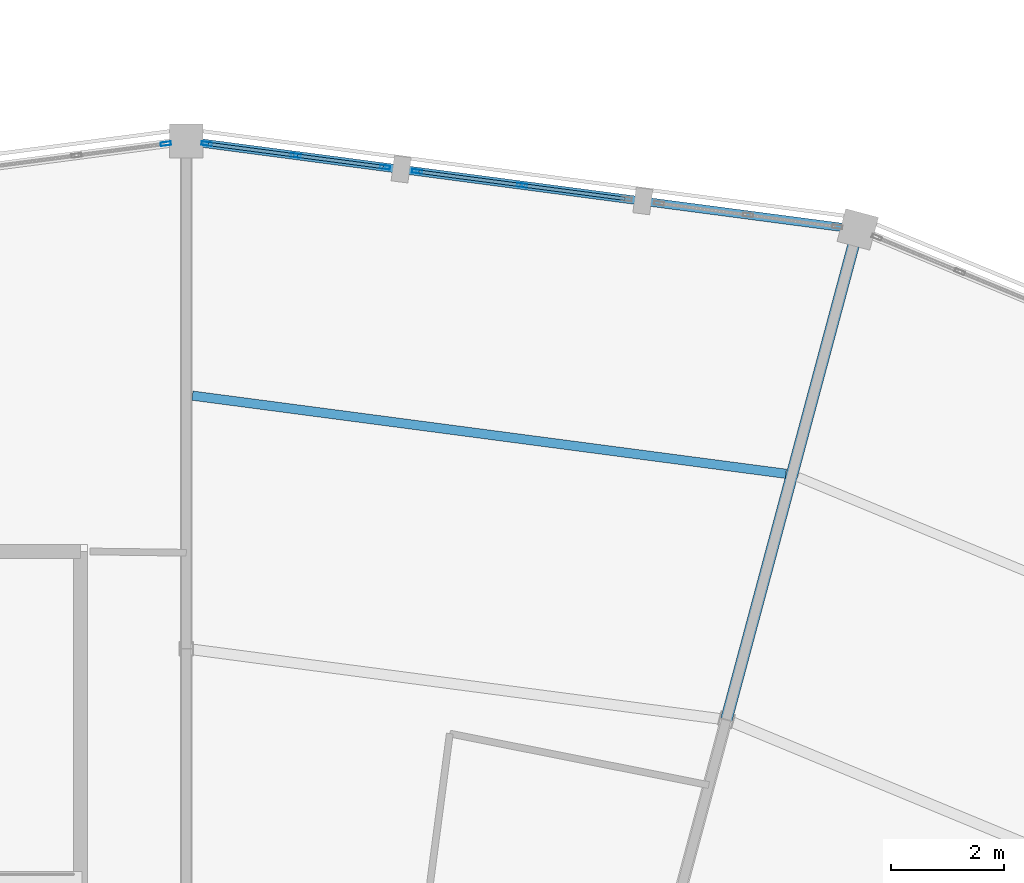
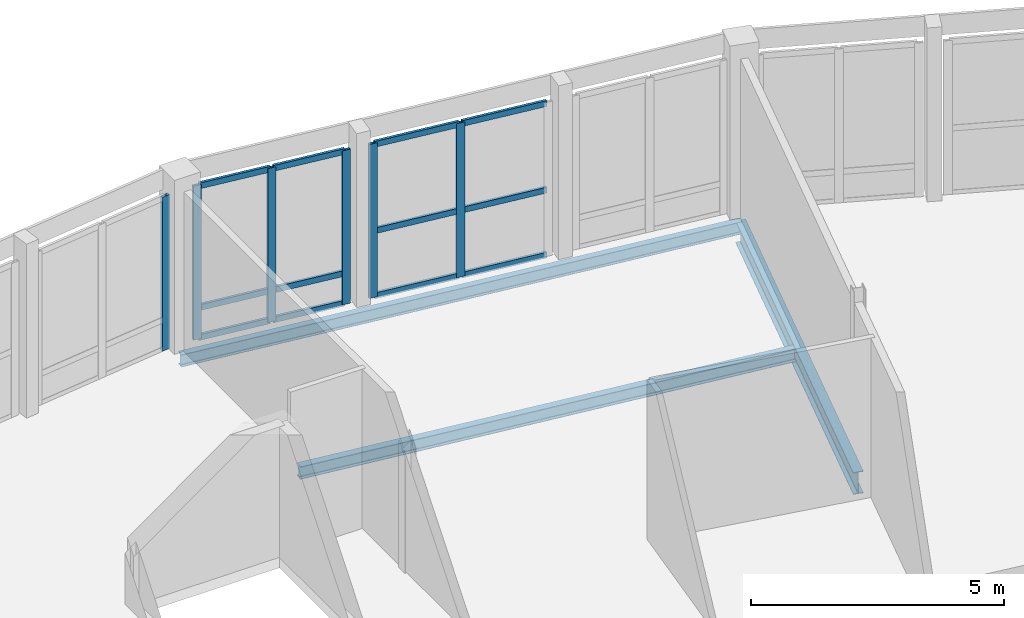
# One storey, part 102 of 200: 18 members, 3 beams, 3 elements without a shape of their own.
"""IFC4 building model written with IfcOpenShell, lengths in metres."""

from ifc_helpers import new_model, si_unit, direction, frame, origin, origin_2d, place, context, subcontext, project, spatial, hollow_rectangle, i_section, extrude, material, material_profile, profile_set, type_object, element, aggregate, save


model = new_model("IFC4")

# Units and contexts
model_context = context("Model", 3, precision=1e-05, world=origin(), true_north=direction((0.0, 1.0)))
body_context = subcontext(model_context, "Body", "Model", "MODEL_VIEW")
ifc_project = project(units=[si_unit("LENGTHUNIT", "METRE"), si_unit("AREAUNIT", "SQUARE_METRE"), si_unit("VOLUMEUNIT", "CUBIC_METRE"), si_unit("PLANEANGLEUNIT", "RADIAN"), si_unit("MASSUNIT", "GRAM", prefix="KILO")], contexts=[model_context])

# Site, building, storey
site_placement = place(None, origin())
site = spatial("IfcSite", under=ifc_project, at=site_placement, CompositionType="ELEMENT")
building_placement = place(site_placement, origin())
building = spatial("IfcBuilding", under=site, at=building_placement, Name="Vondelvale Polytechnic", CompositionType="ELEMENT")
storey_placement = place(building_placement, frame((0.0, 0.0, 13.800048828125)))
storey = spatial("IfcBuildingStorey", under=building, at=storey_placement, Name="L03", CompositionType="ELEMENT", Elevation=13.800048828125)

# Beams
ifc_material_1 = material(Name="Steel 300PLUS (fy = 300 MPa)", Category="steel")
ifc_material_profile_1 = material_profile(ifc_material_1, i_section(OverallWidth=0.14892578125, OverallDepth=0.298095703125, WebThickness=0.005615234375, FlangeThickness=0.008056640625, FilletRadius=0.011474609375, at=origin_2d()), Name="310UB32.0")
ifc_profile_set_1 = profile_set([ifc_material_profile_1], Name="Steel 300PLUS (fy = 300 MPa)")
beam_type_1 = type_object("IfcBeamType", Name="BM-UB310L", PredefinedType="BEAM", material=ifc_profile_set_1)
beam_1_placement = place(storey_placement, frame((113.90576171875, 116.4326171875, -0.399169921875), z_axis=(-0.991445297315, 0.130522880875, 0.0), x_axis=(-0.130522880875, -0.991445297315, 0.0)))
element("IfcBeam", 1, at=beam_1_placement, inside=storey, type_object=beam_type_1, Name="L03 RB B-25", PredefinedType="BEAM", context=body_context, shape_type="SweptSolid", body=[
    extrude(i_section(OverallWidth=0.14892578125, OverallDepth=0.298095703125, WebThickness=0.005615234375, FlangeThickness=0.008056640625, FilletRadius=0.011474609375, at=origin_2d()), origin(), (0.0, 0.0, 1.0), 12.008544921875),
])
ifc_material_profile_2 = material_profile(ifc_material_1, i_section(OverallWidth=0.208984375, OverallDepth=0.532958984375, WebThickness=0.01025390625, FlangeThickness=0.015625, FilletRadius=0.013916015625, at=origin_2d()), Name="530UB92.4")
ifc_profile_set_2 = profile_set([ifc_material_profile_2], Name="Steel 300PLUS (fy = 300 MPa)")
beam_type_2 = type_object("IfcBeamType", Name="BM-UB530", PredefinedType="BEAM", material=ifc_profile_set_2)
beam_2_placement = place(storey_placement, frame((111.576416015625, 107.7392578125, -0.5166015625), z_axis=(0.25881563226, 0.965926740751, 0.0), x_axis=(-0.965926740751, 0.25881563226, 0.0)))
element("IfcBeam", 2, at=beam_2_placement, inside=storey, type_object=beam_type_2, Name="L03 RG B-11", PredefinedType="BEAM", context=body_context, shape_type="SweptSolid", body=[
    extrude(i_section(OverallWidth=0.208984375, OverallDepth=0.532958984375, WebThickness=0.01025390625, FlangeThickness=0.015625, FilletRadius=0.013916015625, at=origin_2d()), origin(), (0.0, 0.0, 1.0), 9.0),
])

# Curtain wall, members
ifc_material_2 = material(Name="Glulam GL18 structural Tasmanian oak (fb = 42 MPa)", Category="wood")
curtain_wall_type = type_object("IfcCurtainWallType", Name="CW-RING-OUTER", PredefinedType="NOTDEFINED", material=ifc_material_2)
curtain_wall_1_placement = place(storey_placement, origin())
curtain_wall_1 = element("IfcCurtainWall", 3, at=curtain_wall_1_placement, inside=storey, type_object=curtain_wall_type, Name="L03 architectural curtain wall CW-04-145", PredefinedType="NOTDEFINED")
ifc_material_3 = material(Name="Anodised extruded aluminium 6063-T6", Category="aluminium")
ifc_material_profile_3 = material_profile(ifc_material_3, hollow_rectangle(XDim=0.06494140625, YDim=0.179931640625, WallThickness=0.00390625, at=origin_2d()), Name="CW-MUL-180x65")
ifc_profile_set_3 = profile_set([ifc_material_profile_3], Name="Anodised extruded aluminium 6063-T6")
member_type_1 = type_object("IfcMemberType", Name="CW-MUL-65x180", PredefinedType="MULLION", material=ifc_profile_set_3)
member_1_placement = place(storey_placement, frame((107.952880859375, 117.21630859375, 0.0), z_axis=(0.0, 0.0, 1.0), x_axis=(-0.130497251349, -0.991448671082, 0.0)))
member_1 = element("IfcMember", 4, at=member_1_placement, type_object=member_type_1, Name="CW-04-145 mullion 2", PredefinedType="MULLION", context=body_context, shape_type="SweptSolid", body=[
    extrude(hollow_rectangle(XDim=0.06494140625, YDim=0.179931640625, WallThickness=0.00390625, at=origin_2d()), origin(), (0.0, 0.0, 1.0), 3.719970703125),
])
member_2_placement = place(storey_placement, frame((106.0947265625, 117.4609375, 0.0), z_axis=(0.0, 0.0, 1.0), x_axis=(-0.130497251349, -0.991448671082, 0.0)))
member_2 = element("IfcMember", 5, at=member_2_placement, type_object=member_type_1, Name="CW-04-145 mullion 3", PredefinedType="MULLION", context=body_context, shape_type="SweptSolid", body=[
    extrude(hollow_rectangle(XDim=0.06494140625, YDim=0.179931640625, WallThickness=0.00390625, at=origin_2d()), origin(), (0.0, 0.0, 1.0), 3.719970703125),
])

curtain_wall_2_placement = place(storey_placement, origin())
curtain_wall_2 = element("IfcCurtainWall", 6, at=curtain_wall_2_placement, inside=storey, type_object=curtain_wall_type, Name="L03 architectural curtain wall CW-04-146", PredefinedType="NOTDEFINED")
member_3_placement = place(storey_placement, frame((105.524658203125, 117.535888671875, 0.0), z_axis=(0.0, 0.0, 1.0), x_axis=(-0.130539547729, -0.991443102996, 0.0)))
member_3 = element("IfcMember", 7, at=member_3_placement, type_object=member_type_1, Name="CW-04-146 mullion 1", PredefinedType="MULLION", context=body_context, shape_type="SweptSolid", body=[
    extrude(hollow_rectangle(XDim=0.06494140625, YDim=0.179931640625, WallThickness=0.00390625, at=origin_2d()), origin(), (0.0, 0.0, 1.0), 3.719970703125),
])
member_4_placement = place(storey_placement, frame((103.943359375, 117.744140625, 0.0), z_axis=(0.0, 0.0, 1.0), x_axis=(-0.130539547729, -0.991443102996, 0.0)))
member_4 = element("IfcMember", 8, at=member_4_placement, type_object=member_type_1, Name="CW-04-146 mullion 2", PredefinedType="MULLION", context=body_context, shape_type="SweptSolid", body=[
    extrude(hollow_rectangle(XDim=0.06494140625, YDim=0.179931640625, WallThickness=0.00390625, at=origin_2d()), origin(), (0.0, 0.0, 1.0), 3.719970703125),
])
member_5_placement = place(storey_placement, frame((102.362060546875, 117.952392578125, 0.0), z_axis=(0.0, 0.0, 1.0), x_axis=(-0.130539547729, -0.991443102996, 0.0)))
member_5 = element("IfcMember", 9, at=member_5_placement, type_object=member_type_1, Name="CW-04-146 mullion 3", PredefinedType="MULLION", context=body_context, shape_type="SweptSolid", body=[
    extrude(hollow_rectangle(XDim=0.06494140625, YDim=0.179931640625, WallThickness=0.00390625, at=origin_2d()), origin(), (0.0, 0.0, 1.0), 3.719970703125),
])

# Curtain wall, member
curtain_wall_3_placement = place(storey_placement, origin())
curtain_wall_3 = element("IfcCurtainWall", 10, at=curtain_wall_3_placement, inside=storey, type_object=curtain_wall_type, Name="L03 architectural curtain wall CW-04-164", PredefinedType="NOTDEFINED")
member_6_placement = place(storey_placement, frame((101.637939453125, 117.952392578125, 0.0), z_axis=(0.0, 0.0, 1.0), x_axis=(0.130539547729, -0.991443102996, 0.0)))
member_6 = element("IfcMember", 11, at=member_6_placement, type_object=member_type_1, Name="CW-04-164 mullion 1", PredefinedType="MULLION", context=body_context, shape_type="SweptSolid", body=[
    extrude(hollow_rectangle(XDim=0.06494140625, YDim=0.179931640625, WallThickness=0.00390625, at=origin_2d()), origin(), (0.0, 0.0, 1.0), 3.719970703125),
])
aggregate(curtain_wall_3, [member_6])

# Member
ifc_material_profile_4 = material_profile(ifc_material_3, hollow_rectangle(XDim=0.06005859375, YDim=0.139892578125, WallThickness=0.00341796875, at=origin_2d()), Name="CW-TRN-140x60")
ifc_profile_set_4 = profile_set([ifc_material_profile_4], Name="Anodised extruded aluminium 6063-T6")
member_type_2 = type_object("IfcMemberType", Name="CW-TRN-60x140", PredefinedType="USERDEFINED", material=ifc_profile_set_4)
member_7_placement = place(storey_placement, frame((109.778564453125, 116.97607421875, 0.030029296875), z_axis=(-0.991446943979, 0.130510372288, 0.0), x_axis=(-0.130510372288, -0.991446943979, 0.0)))
member_7 = element("IfcMember", 12, at=member_7_placement, type_object=member_type_2, Name="CW-04-145 transom 1.1", ObjectType="TRANSOM", PredefinedType="USERDEFINED", context=body_context, shape_type="SweptSolid", body=[
    extrude(hollow_rectangle(XDim=0.06005859375, YDim=0.139892578125, WallThickness=0.00341796875, at=origin_2d()), origin(), (0.0, 0.0, 1.0), 1.808837890625),
])

member_8_placement = place(storey_placement, frame((109.778564453125, 116.97607421875, 1.599853515625), z_axis=(-0.991446943979, 0.130510372288, 0.0), x_axis=(-0.130510372288, -0.991446943979, 0.0)))
member_8 = element("IfcMember", 13, at=member_8_placement, type_object=member_type_2, Name="CW-04-145 transom 1.2", ObjectType="TRANSOM", PredefinedType="USERDEFINED", context=body_context, shape_type="SweptSolid", body=[
    extrude(hollow_rectangle(XDim=0.06005859375, YDim=0.139892578125, WallThickness=0.00341796875, at=origin_2d()), origin(), (0.0, 0.0, 1.0), 1.808837890625),
])

member_9_placement = place(storey_placement, frame((109.778564453125, 116.97607421875, 3.68994140625), z_axis=(-0.991446943979, 0.130510372288, 0.0), x_axis=(-0.130510372288, -0.991446943979, 0.0)))
member_9 = element("IfcMember", 14, at=member_9_placement, type_object=member_type_2, Name="CW-04-145 transom 1.3", ObjectType="TRANSOM", PredefinedType="USERDEFINED", context=body_context, shape_type="SweptSolid", body=[
    extrude(hollow_rectangle(XDim=0.06005859375, YDim=0.139892578125, WallThickness=0.00341796875, at=origin_2d()), origin(), (0.0, 0.0, 1.0), 1.808837890625),
])

member_10_placement = place(storey_placement, frame((107.920654296875, 117.220458984375, 0.030029296875), z_axis=(-0.991449242357, 0.130492911033, 0.0), x_axis=(-0.130492911033, -0.991449242357, 0.0)))
member_10 = element("IfcMember", 15, at=member_10_placement, type_object=member_type_2, Name="CW-04-145 transom 2.1", ObjectType="TRANSOM", PredefinedType="USERDEFINED", context=body_context, shape_type="SweptSolid", body=[
    extrude(hollow_rectangle(XDim=0.06005859375, YDim=0.139892578125, WallThickness=0.00341796875, at=origin_2d()), origin(), (0.0, 0.0, 1.0), 1.80908203125),
])

member_11_placement = place(storey_placement, frame((107.920654296875, 117.220458984375, 1.599853515625), z_axis=(-0.991449242357, 0.130492911033, 0.0), x_axis=(-0.130492911033, -0.991449242357, 0.0)))
member_11 = element("IfcMember", 16, at=member_11_placement, type_object=member_type_2, Name="CW-04-145 transom 2.2", ObjectType="TRANSOM", PredefinedType="USERDEFINED", context=body_context, shape_type="SweptSolid", body=[
    extrude(hollow_rectangle(XDim=0.06005859375, YDim=0.139892578125, WallThickness=0.00341796875, at=origin_2d()), origin(), (0.0, 0.0, 1.0), 1.80908203125),
])

member_12_placement = place(storey_placement, frame((107.920654296875, 117.220458984375, 3.68994140625), z_axis=(-0.991449242357, 0.130492911033, 0.0), x_axis=(-0.130492911033, -0.991449242357, 0.0)))
member_12 = element("IfcMember", 17, at=member_12_placement, type_object=member_type_2, Name="CW-04-145 transom 2.3", ObjectType="TRANSOM", PredefinedType="USERDEFINED", context=body_context, shape_type="SweptSolid", body=[
    extrude(hollow_rectangle(XDim=0.06005859375, YDim=0.139892578125, WallThickness=0.00341796875, at=origin_2d()), origin(), (0.0, 0.0, 1.0), 1.80908203125),
])

aggregate(curtain_wall_1, [member_1, member_2, member_7, member_8, member_9, member_10, member_11, member_12])

member_13_placement = place(storey_placement, frame((105.49267578125, 117.540283203125, 0.030029296875), z_axis=(-0.991446691045, 0.130512293736, 0.0), x_axis=(-0.130512293736, -0.991446691045, 0.0)))
member_13 = element("IfcMember", 18, at=member_13_placement, type_object=member_type_2, Name="CW-04-146 transom 1.1", ObjectType="TRANSOM", PredefinedType="USERDEFINED", context=body_context, shape_type="SweptSolid", body=[
    extrude(hollow_rectangle(XDim=0.06005859375, YDim=0.139892578125, WallThickness=0.00341796875, at=origin_2d()), origin(), (0.0, 0.0, 1.0), 1.5302734375),
])

member_14_placement = place(storey_placement, frame((105.49267578125, 117.540283203125, 0.75), z_axis=(-0.991446691045, 0.130512293736, 0.0), x_axis=(-0.130512293736, -0.991446691045, 0.0)))
member_14 = element("IfcMember", 19, at=member_14_placement, type_object=member_type_2, Name="CW-04-146 transom 1.2", ObjectType="TRANSOM", PredefinedType="USERDEFINED", context=body_context, shape_type="SweptSolid", body=[
    extrude(hollow_rectangle(XDim=0.06005859375, YDim=0.139892578125, WallThickness=0.00341796875, at=origin_2d()), origin(), (0.0, 0.0, 1.0), 1.5302734375),
])

member_15_placement = place(storey_placement, frame((105.49267578125, 117.540283203125, 3.68994140625), z_axis=(-0.991446691045, 0.130512293736, 0.0), x_axis=(-0.130512293736, -0.991446691045, 0.0)))
member_15 = element("IfcMember", 20, at=member_15_placement, type_object=member_type_2, Name="CW-04-146 transom 1.3", ObjectType="TRANSOM", PredefinedType="USERDEFINED", context=body_context, shape_type="SweptSolid", body=[
    extrude(hollow_rectangle(XDim=0.06005859375, YDim=0.139892578125, WallThickness=0.00341796875, at=origin_2d()), origin(), (0.0, 0.0, 1.0), 1.5302734375),
])

member_16_placement = place(storey_placement, frame((103.9111328125, 117.748291015625, 0.030029296875), z_axis=(-0.991443972703, 0.130532942165, 0.0), x_axis=(-0.130532942165, -0.991443972703, 0.0)))
member_16 = element("IfcMember", 21, at=member_16_placement, type_object=member_type_2, Name="CW-04-146 transom 2.1", ObjectType="TRANSOM", PredefinedType="USERDEFINED", context=body_context, shape_type="SweptSolid", body=[
    extrude(hollow_rectangle(XDim=0.06005859375, YDim=0.139892578125, WallThickness=0.00341796875, at=origin_2d()), origin(), (0.0, 0.0, 1.0), 1.530029296875),
])

member_17_placement = place(storey_placement, frame((103.9111328125, 117.748291015625, 0.75), z_axis=(-0.991443972703, 0.130532942165, 0.0), x_axis=(-0.130532942165, -0.991443972703, 0.0)))
member_17 = element("IfcMember", 22, at=member_17_placement, type_object=member_type_2, Name="CW-04-146 transom 2.2", ObjectType="TRANSOM", PredefinedType="USERDEFINED", context=body_context, shape_type="SweptSolid", body=[
    extrude(hollow_rectangle(XDim=0.06005859375, YDim=0.139892578125, WallThickness=0.00341796875, at=origin_2d()), origin(), (0.0, 0.0, 1.0), 1.530029296875),
])

member_18_placement = place(storey_placement, frame((103.9111328125, 117.748291015625, 3.68994140625), z_axis=(-0.991443972703, 0.130532942165, 0.0), x_axis=(-0.130532942165, -0.991443972703, 0.0)))
member_18 = element("IfcMember", 23, at=member_18_placement, type_object=member_type_2, Name="CW-04-146 transom 2.3", ObjectType="TRANSOM", PredefinedType="USERDEFINED", context=body_context, shape_type="SweptSolid", body=[
    extrude(hollow_rectangle(XDim=0.06005859375, YDim=0.139892578125, WallThickness=0.00341796875, at=origin_2d()), origin(), (0.0, 0.0, 1.0), 1.530029296875),
])

aggregate(curtain_wall_2, [member_3, member_4, member_5, member_13, member_14, member_15, member_16, member_17, member_18])

# Beam
ifc_material_profile_5 = material_profile(ifc_material_1, i_section(OverallWidth=0.1650390625, OverallDepth=0.303955078125, WebThickness=0.006103515625, FlangeThickness=0.01025390625, FilletRadius=0.011474609375, at=origin_2d()), Name="310UB40.4")
ifc_profile_set_5 = profile_set([ifc_material_profile_5], Name="Steel 300PLUS (fy = 300 MPa)")
beam_type_3 = type_object("IfcBeamType", Name="JST-UB310", PredefinedType="JOIST", material=ifc_profile_set_5)
beam_3_placement = place(storey_placement, frame((112.6318359375, 112.100341796875, -0.402099609375), z_axis=(-0.991445916013, 0.13051818119, 0.0), x_axis=(-0.13051818119, -0.991445916013, 0.0)))
element("IfcBeam", 24, at=beam_3_placement, inside=storey, type_object=beam_type_3, Name="L03 RJ J-05", PredefinedType="JOIST", context=body_context, shape_type="SweptSolid", body=[
    extrude(i_section(OverallWidth=0.1650390625, OverallDepth=0.303955078125, WebThickness=0.006103515625, FlangeThickness=0.01025390625, FilletRadius=0.011474609375, at=origin_2d()), origin(), (0.0, 0.0, 1.0), 10.613525390625),
])

save(model, "model.ifc")
